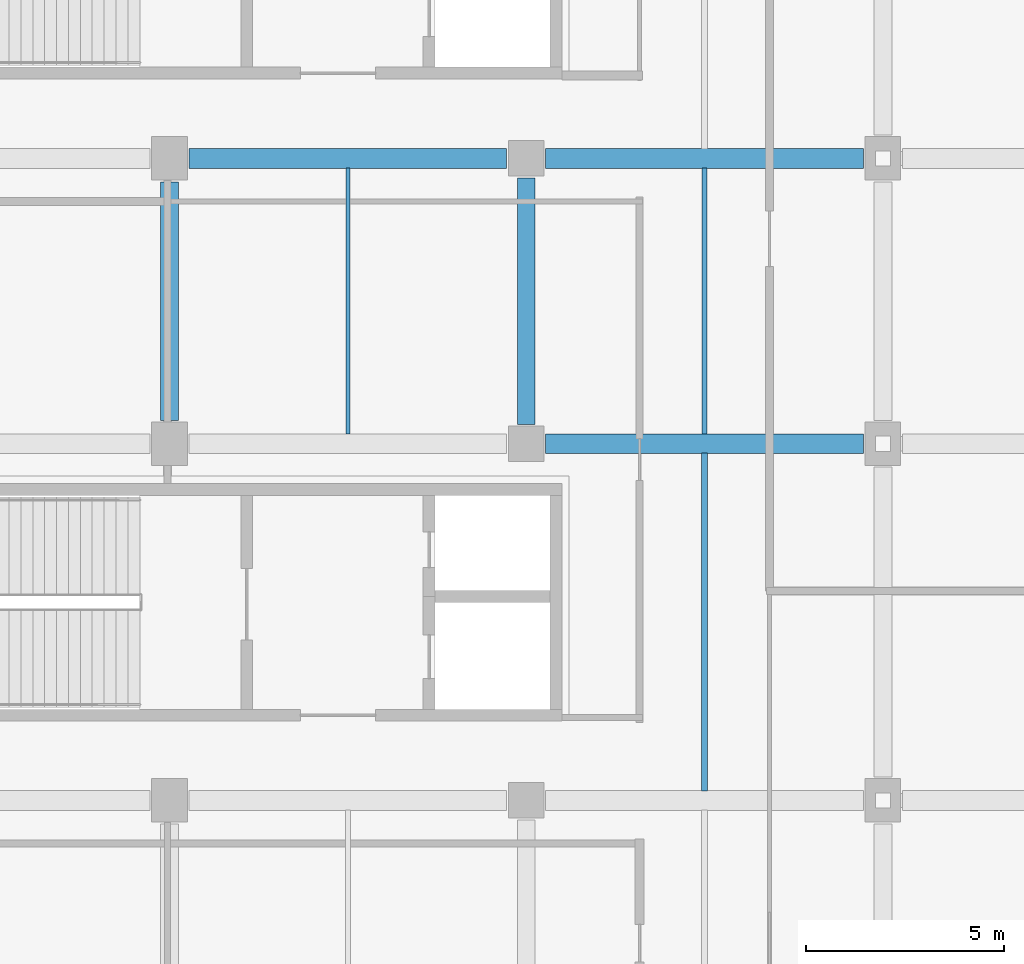
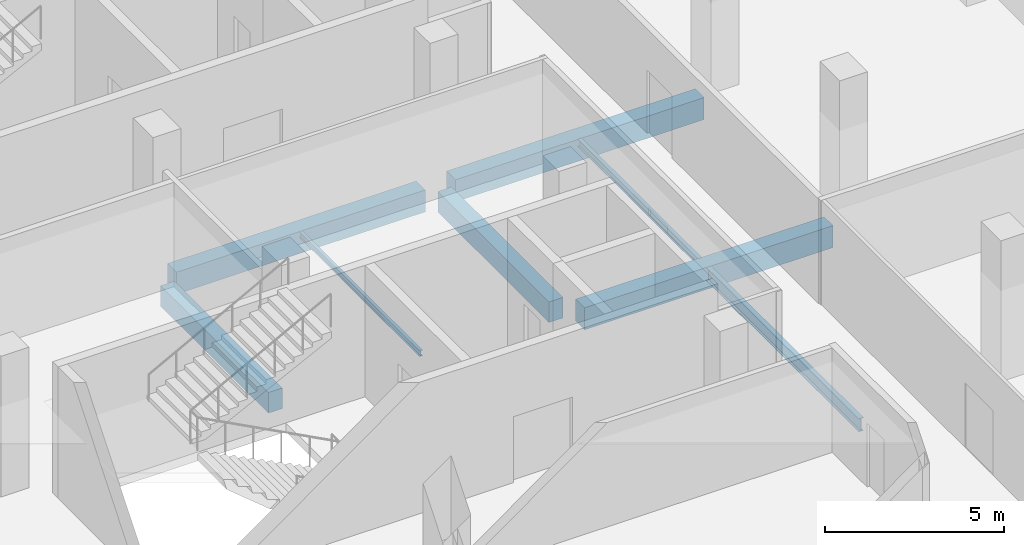
# One storey, part 16 of 82: 8 beams.
"""IFC4 building model written with IfcOpenShell, lengths in metres."""

from ifc_helpers import new_model, si_unit, direction, frame, origin, origin_2d, place, context, subcontext, project, spatial, rectangle, i_section, extrude, material, material_profile, profile_set, type_object, element, save


model = new_model("IFC4")

# Units and contexts
model_context = context("Model", 3, precision=1e-05, world=origin(), true_north=direction((0.0, 1.0)))
body_context = subcontext(model_context, "Body", "Model", "MODEL_VIEW")
ifc_project = project(units=[si_unit("LENGTHUNIT", "METRE"), si_unit("AREAUNIT", "SQUARE_METRE"), si_unit("VOLUMEUNIT", "CUBIC_METRE"), si_unit("PLANEANGLEUNIT", "RADIAN"), si_unit("MASSUNIT", "GRAM", prefix="KILO"), si_unit("THERMODYNAMICTEMPERATUREUNIT", "KELVIN"), si_unit("POWERUNIT", "WATT")], contexts=[model_context])

# Site, building, storey
site_placement = place(None, origin())
site = spatial("IfcSite", under=ifc_project, at=site_placement, CompositionType="ELEMENT")
building_placement = place(site_placement, origin())
building = spatial("IfcBuilding", under=site, at=building_placement, Name="Sindhuravela Promenade Stadium", CompositionType="ELEMENT")
storey_placement = place(building_placement, frame((0.0, 0.0, 14.39990234375)))
storey = spatial("IfcBuildingStorey", under=building, at=storey_placement, Name="L03", CompositionType="ELEMENT", Elevation=14.39990234375)

# Beams
ifc_material_1 = material(Name="Concrete M40", Category="concrete")
ifc_material_profile_1 = material_profile(ifc_material_1, rectangle(XDim=0.449951171875, YDim=0.699951171875, at=origin_2d()), Name="RC 450x700")
ifc_profile_set_1 = profile_set([ifc_material_profile_1], Name="Concrete M40")
beam_type_1 = type_object("IfcBeamType", Name="RC-BM-450x700", PredefinedType="BEAM", material=ifc_profile_set_1)
beam_1_placement = place(storey_placement, frame((18.0, 94.18994140625, -0.64990234375), z_axis=(0.0, 1.0, 0.0), x_axis=(-1.0, 0.0, 0.0)))
element("IfcBeam", 1, at=beam_1_placement, inside=storey, type_object=beam_type_1, Name="Primary beam GB07 WEST L03", PredefinedType="BEAM", context=body_context, shape_type="SweptSolid", body=[
    extrude(rectangle(XDim=0.449951171875, YDim=0.699951171875, at=origin_2d()), origin(), (0.0, 0.0, 1.0), 6.02001953125),
])
beam_2_placement = place(storey_placement, frame((27.0, 94.090087890625, -0.64990234375), z_axis=(0.0, 1.0, 0.0), x_axis=(-1.0, 0.0, 0.0)))
element("IfcBeam", 2, at=beam_2_placement, inside=storey, type_object=beam_type_1, Name="Primary beam GB07 WEST L03", PredefinedType="BEAM", context=body_context, shape_type="SweptSolid", body=[
    extrude(rectangle(XDim=0.449951171875, YDim=0.699951171875, at=origin_2d()), origin(), (0.0, 0.0, 1.0), 6.219970703125),
])
ifc_material_profile_2 = material_profile(ifc_material_1, rectangle(XDim=0.5, YDim=0.75, at=origin_2d()), Name="RC 500x750")
ifc_profile_set_2 = profile_set([ifc_material_profile_2], Name="Concrete M40")
beam_type_2 = type_object("IfcBeamType", Name="RC-BM-500x750", PredefinedType="BEAM", material=ifc_profile_set_2)
for number, where, z_axis, x_axis, name in (
    (3, (27.489990234375, 93.60009765625, -0.6748046875), (1.0, 0.0, 0.0), (0.0, 1.0, 0.0), "Primary girder GB06 WEST L03"),
    (4, (18.489990234375, 100.800048828125, -0.6748046875), (1.0, 0.0, 0.0), (0.0, 1.0, 0.0), "Primary girder GB06 WEST L03"),
    (5, (27.489990234375, 100.800048828125, -0.6748046875), (1.0, 0.0, 0.0), (0.0, 1.0, 0.0), "Primary girder GB06 WEST L03"),
):
    element("IfcBeam", number, at=place(storey_placement, frame(where, z_axis=z_axis, x_axis=x_axis)), inside=storey, type_object=beam_type_2, Name=name, PredefinedType="BEAM", context=body_context, shape_type="SweptSolid", body=[
        extrude(rectangle(XDim=0.5, YDim=0.75, at=origin_2d()), origin(), (0.0, 0.0, 1.0), 8.02001953125),
    ])
ifc_material_2 = material(Name="Steel E350 (IS 2062 E350BR)", Category="steel")
ifc_material_profile_3 = material_profile(ifc_material_2, i_section(OverallWidth=0.10009765625, OverallDepth=0.199951171875, WebThickness=0.005615234375, FlangeThickness=0.0107421875, FilletRadius=0.010986328125, at=origin_2d()), Name="ISMB 200")
ifc_profile_set_3 = profile_set([ifc_material_profile_3], Name="Steel E350 (IS 2062 E350BR)")
beam_type_3 = type_object("IfcBeamType", Name="ST-BM-MB200", PredefinedType="JOIST", material=ifc_profile_set_3)
beam_3_placement = place(storey_placement, frame((22.5, 93.840087890625, -0.39990234375), z_axis=(0.0, 1.0, 0.0), x_axis=(-1.0, 0.0, 0.0)))
element("IfcBeam", 6, at=beam_3_placement, inside=storey, type_object=beam_type_3, Name="Secondary floor joist SB01 WEST L03", PredefinedType="JOIST", context=body_context, shape_type="SweptSolid", body=[
    extrude(i_section(OverallWidth=0.10009765625, OverallDepth=0.199951171875, WebThickness=0.005615234375, FlangeThickness=0.0107421875, FilletRadius=0.010986328125, at=origin_2d()), origin(), (0.0, 0.0, 1.0), 6.719970703125),
])
ifc_material_profile_4 = material_profile(ifc_material_2, i_section(OverallWidth=0.125, OverallDepth=0.25, WebThickness=0.0068359375, FlangeThickness=0.012451171875, FilletRadius=0.012939453125, at=origin_2d()), Name="ISMB 250")
ifc_profile_set_4 = profile_set([ifc_material_profile_4], Name="Steel E350 (IS 2062 E350BR)")
beam_type_4 = type_object("IfcBeamType", Name="ST-BM-MB250", PredefinedType="JOIST", material=ifc_profile_set_4)
beam_4_placement = place(storey_placement, frame((31.5, 93.840087890625, -0.4248046875), z_axis=(0.0, 1.0, 0.0), x_axis=(-1.0, 0.0, 0.0)))
element("IfcBeam", 7, at=beam_4_placement, inside=storey, type_object=beam_type_4, Name="Secondary floor joist SB02 WEST L03", PredefinedType="JOIST", context=body_context, shape_type="SweptSolid", body=[
    extrude(i_section(OverallWidth=0.125, OverallDepth=0.25, WebThickness=0.0068359375, FlangeThickness=0.012451171875, FilletRadius=0.012939453125, at=origin_2d()), origin(), (0.0, 0.0, 1.0), 6.719970703125),
])
ifc_material_profile_5 = material_profile(ifc_material_2, i_section(OverallWidth=0.14990234375, OverallDepth=0.449951171875, WebThickness=0.009521484375, FlangeThickness=0.017333984375, FilletRadius=0.014892578125, at=origin_2d()), Name="ISMB 450")
ifc_profile_set_5 = profile_set([ifc_material_profile_5], Name="Steel E350 (IS 2062 E350BR)")
beam_type_5 = type_object("IfcBeamType", Name="ST-BM-MB450", PredefinedType="BEAM", material=ifc_profile_set_5)
beam_5_placement = place(storey_placement, frame((31.5, 84.840087890625, -0.52490234375), z_axis=(0.0, 1.0, 0.0), x_axis=(-1.0, 0.0, 0.0)))
element("IfcBeam", 8, at=beam_5_placement, inside=storey, type_object=beam_type_5, Name="Secondary floor joist SB06 WEST L03", PredefinedType="BEAM", context=body_context, shape_type="SweptSolid", body=[
    extrude(i_section(OverallWidth=0.14990234375, OverallDepth=0.449951171875, WebThickness=0.009521484375, FlangeThickness=0.017333984375, FilletRadius=0.014892578125, at=origin_2d()), origin(), (0.0, 0.0, 1.0), 8.52001953125),
])

save(model, "model.ifc")
